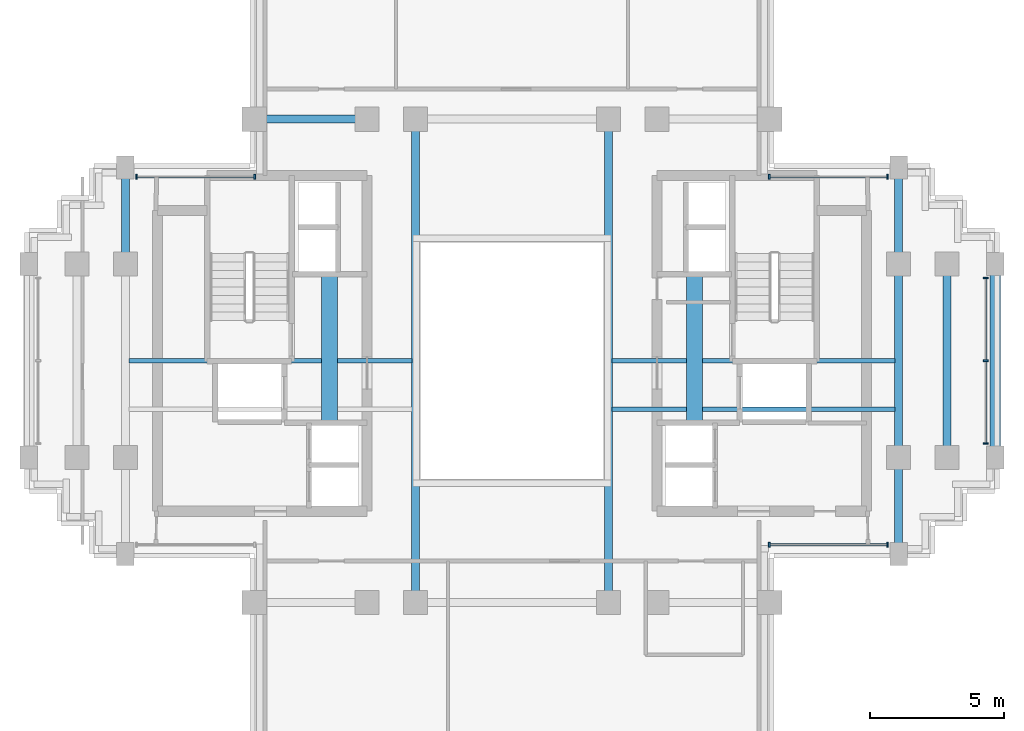
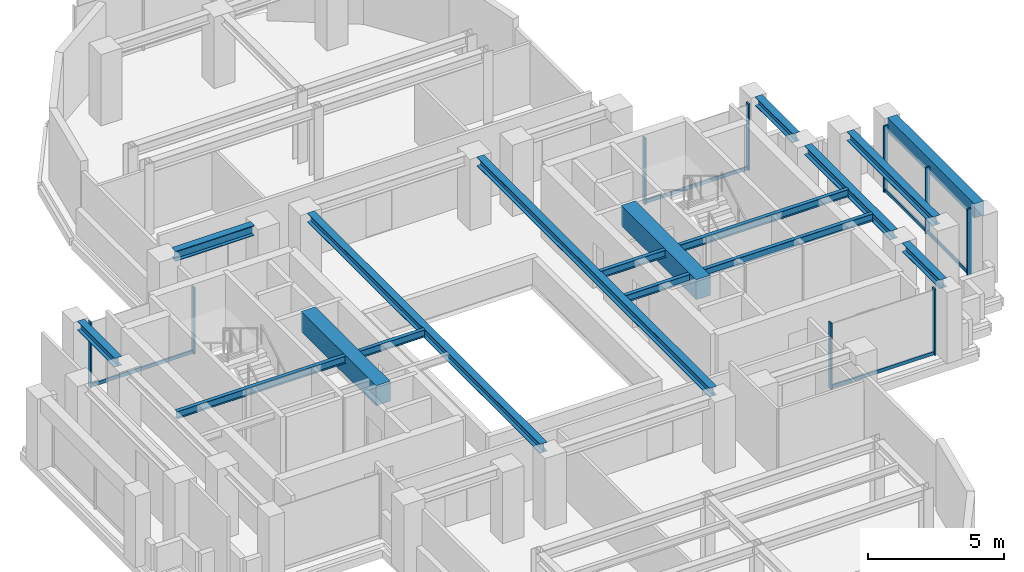
# One storey, part 3 of 11: 14 beams, 14 members, 4 elements without a shape of their own.
"""IFC4 building model written with IfcOpenShell, lengths in metres."""

from ifc_helpers import new_model, si_unit, direction, frame, origin, origin_2d, place, context, subcontext, project, spatial, rectangle, i_section, extrude, source, transform, mapped, material, material_profile, profile_set, type_object, element, aggregate, save


model = new_model("IFC4")

# Units and contexts
model_context = context("Model", 3, precision=1e-05, world=origin(), true_north=direction((0.0, 1.0)))
body_context = subcontext(model_context, "Body", "Model", "MODEL_VIEW")
ifc_project = project(units=[si_unit("LENGTHUNIT", "METRE"), si_unit("AREAUNIT", "SQUARE_METRE"), si_unit("VOLUMEUNIT", "CUBIC_METRE"), si_unit("PLANEANGLEUNIT", "RADIAN"), si_unit("MASSUNIT", "GRAM", prefix="KILO")], contexts=[model_context])

# Site, building, storey
site_placement = place(None, origin())
site = spatial("IfcSite", under=ifc_project, at=site_placement, CompositionType="ELEMENT")
building_placement = place(site_placement, origin())
building = spatial("IfcBuilding", under=site, at=building_placement, Name="Keilestroom Media Tower", CompositionType="ELEMENT")
storey_placement = place(building_placement, frame((0.0, 0.0, 174.0)))
storey = spatial("IfcBuildingStorey", under=building, at=storey_placement, Name="L47", CompositionType="ELEMENT", Elevation=174.0)

# Beams
ifc_material_1 = material(Name="Concrete C70/85", Category="concrete")
ifc_material_profile_1 = material_profile(ifc_material_1, rectangle(XDim=0.60009765625, YDim=0.89990234375, at=origin_2d()), Name="RC 600x900")
ifc_profile_set_1 = profile_set([ifc_material_profile_1], Name="Concrete C70/85")
beam_type_1 = type_object("IfcBeamType", Name="Core-Coupling-Lintel-Beam-RC-600x900", PredefinedType="LINTEL", material=ifc_profile_set_1)
shared_shape_1 = source(origin(), body_context, "Body", "SweptSolid", [
    extrude(rectangle(XDim=0.60009765625, YDim=0.89990234375, at=origin_2d()), origin(), (0.0, 0.0, 1.0), 5.52001953125),
])
for number, where, z_axis, x_axis, name in (
    (1, (-6.800048828125, -2.300048828125, 2.75), (0.0, 1.0, 0.0), (-1.0, 0.0, 0.0), "L47 Beam CLB-1 CLB-L47-W"),
    (2, (6.800048828125, -2.300048828125, 2.75), (0.0, 1.0, 0.0), (-1.0, 0.0, 0.0), "L47 Beam CLB-1 CLB-L47-E"),
):
    element("IfcBeam", number, at=place(storey_placement, frame(where, z_axis=z_axis, x_axis=x_axis)), inside=storey, type_object=beam_type_1, Name=name, PredefinedType="LINTEL", context=body_context, shape_type="MappedRepresentation", body=[
        mapped(shared_shape_1, transform((0.0, 0.0, 0.0), x_axis=(1.0, 0.0, 0.0), y_axis=(0.0, 1.0, 0.0), z_axis=(0.0, 0.0, 1.0), scale=1.0)),
    ])
ifc_material_2 = material(Name="Steel S355", Category="steel")
ifc_material_profile_2 = material_profile(ifc_material_2, i_section(OverallWidth=0.300048828125, OverallDepth=0.449951171875, WebThickness=0.011962890625, FlangeThickness=0.02587890625, at=origin_2d()), Name="HEB 450")
ifc_profile_set_2 = profile_set([ifc_material_profile_2], Name="Steel S355")
beam_type_2 = type_object("IfcBeamType", Name="Primary-Structural-Girder-HEB-450", PredefinedType="BEAM", material=ifc_profile_set_2)
shared_shape_2 = source(origin(), body_context, "Body", "SweptSolid", [
    extrude(i_section(OverallWidth=0.300048828125, OverallDepth=0.449951171875, WebThickness=0.011962890625, FlangeThickness=0.02587890625, at=origin_2d()), origin(), (0.0, 0.0, 1.0), 3.33984375),
])
beam_1_placement = place(storey_placement, frame((-9.169921875, 9.0, 2.97509765625), z_axis=(1.0, 0.0, 0.0), x_axis=(0.0, 1.0, 0.0)))
element("IfcBeam", 3, at=beam_1_placement, inside=storey, type_object=beam_type_2, Name="L47 Beam BG-7 BM-L47-EW-020", PredefinedType="BEAM", context=body_context, shape_type="MappedRepresentation", body=[
    mapped(shared_shape_2, transform((0.0, 0.0, 0.0), x_axis=(1.0, 0.0, 0.0), y_axis=(0.0, 1.0, 0.0), z_axis=(0.0, 0.0, 1.0), scale=1.0)),
])
ifc_material_3 = material(Name="Precast concrete C40/50", Category="concrete")
ifc_material_profile_3 = material_profile(ifc_material_3, rectangle(XDim=0.39990234375, YDim=0.64990234375, at=origin_2d()), Name="PC 400x650")
ifc_profile_set_3 = profile_set([ifc_material_profile_3], Name="Precast concrete C40/50")
beam_type_3 = type_object("IfcBeamType", Name="Perimeter-Spandrel-Beam-PC-400x650", PredefinedType="SPANDREL", material=ifc_profile_set_3)
shared_shape_3 = source(origin(), body_context, "Body", "SweptSolid", [
    extrude(rectangle(XDim=0.39990234375, YDim=0.64990234375, at=origin_2d()), origin(), (0.0, 0.0, 1.0), 6.39013671875),
])
beam_2_placement = place(storey_placement, frame((18.0, -3.195068359375, 2.875), z_axis=(0.0, 1.0, 0.0), x_axis=(-1.0, 0.0, 0.0)))
element("IfcBeam", 4, at=beam_2_placement, inside=storey, type_object=beam_type_3, Name="L47 Beam SPB-2 BM-L47-NS-054", PredefinedType="SPANDREL", context=body_context, shape_type="MappedRepresentation", body=[
    mapped(shared_shape_3, transform((0.0, 0.0, 0.0), x_axis=(1.0, 0.0, 0.0), y_axis=(0.0, 1.0, 0.0), z_axis=(0.0, 0.0, 1.0), scale=1.0)),
])
ifc_material_profile_4 = material_profile(ifc_material_2, i_section(OverallWidth=0.300048828125, OverallDepth=0.39990234375, WebThickness=0.011474609375, FlangeThickness=0.02392578125, at=origin_2d()), Name="HEB 400")
ifc_profile_set_4 = profile_set([ifc_material_profile_4], Name="Steel S355")
beam_type_4 = type_object("IfcBeamType", Name="Primary-Structural-Girder-HEB-400", PredefinedType="BEAM", material=ifc_profile_set_4)
shared_shape_4 = source(origin(), body_context, "Body", "SweptSolid", [
    extrude(i_section(OverallWidth=0.300048828125, OverallDepth=0.39990234375, WebThickness=0.011474609375, FlangeThickness=0.02392578125, at=origin_2d()), origin(), (0.0, 0.0, 1.0), 6.33984375),
])
for number, where, z_axis, x_axis, name in (
    (5, (14.39990234375, -3.169921875, 3.0), (0.0, 1.0, 0.0), (-1.0, 0.0, 0.0), "L47 Beam BG-8 BM-L47-NS-051"),
    (6, (16.199951171875, -3.169921875, 3.0), (0.0, 1.0, 0.0), (-1.0, 0.0, 0.0), "L47 Beam BG-8 BM-L47-NS-053"),
):
    element("IfcBeam", number, at=place(storey_placement, frame(where, z_axis=z_axis, x_axis=x_axis)), inside=storey, type_object=beam_type_4, Name=name, PredefinedType="BEAM", context=body_context, shape_type="MappedRepresentation", body=[
        mapped(shared_shape_4, transform((0.0, 0.0, 0.0), x_axis=(1.0, 0.0, 0.0), y_axis=(0.0, 1.0, 0.0), z_axis=(0.0, 0.0, 1.0), scale=1.0)),
    ])
shared_shape_5 = source(origin(), body_context, "Body", "SweptSolid", [
    extrude(i_section(OverallWidth=0.300048828125, OverallDepth=0.39990234375, WebThickness=0.011474609375, FlangeThickness=0.02392578125, at=origin_2d()), origin(), (0.0, 0.0, 1.0), 2.764892578125),
])
for number, where, z_axis, x_axis, name in (
    (7, (-14.39990234375, 4.030029296875, 3.0), (0.0, 1.0, 0.0), (-1.0, 0.0, 0.0), "L47 Beam BG-8 BM-L47-NS-035"),
    (8, (14.39990234375, -6.794921875, 3.0), (0.0, 1.0, 0.0), (-1.0, 0.0, 0.0), "L47 Beam BG-8 BM-L47-NS-050"),
    (9, (14.39990234375, 4.030029296875, 3.0), (0.0, 1.0, 0.0), (-1.0, 0.0, 0.0), "L47 Beam BG-8 BM-L47-NS-052"),
):
    element("IfcBeam", number, at=place(storey_placement, frame(where, z_axis=z_axis, x_axis=x_axis)), inside=storey, type_object=beam_type_4, Name=name, PredefinedType="BEAM", context=body_context, shape_type="MappedRepresentation", body=[
        mapped(shared_shape_5, transform((0.0, 0.0, 0.0), x_axis=(1.0, 0.0, 0.0), y_axis=(0.0, 1.0, 0.0), z_axis=(0.0, 0.0, 1.0), scale=1.0)),
    ])
shared_shape_6 = source(origin(), body_context, "Body", "SweptSolid", [
    extrude(i_section(OverallWidth=0.300048828125, OverallDepth=0.39990234375, WebThickness=0.011474609375, FlangeThickness=0.02392578125, at=origin_2d()), origin(), (0.0, 0.0, 1.0), 17.14013671875),
])
for number, where, z_axis, x_axis, name in (
    (10, (-3.60009765625, -8.570068359375, 3.0), (0.0, 1.0, 0.0), (-1.0, 0.0, 0.0), "L47 Beam BG-8 BM-L47-NS-040"),
    (11, (3.60009765625, -8.570068359375, 3.0), (0.0, 1.0, 0.0), (-1.0, 0.0, 0.0), "L47 Beam BG-8 BM-L47-NS-045"),
):
    element("IfcBeam", number, at=place(storey_placement, frame(where, z_axis=z_axis, x_axis=x_axis)), inside=storey, type_object=beam_type_4, Name=name, PredefinedType="BEAM", context=body_context, shape_type="MappedRepresentation", body=[
        mapped(shared_shape_6, transform((0.0, 0.0, 0.0), x_axis=(1.0, 0.0, 0.0), y_axis=(0.0, 1.0, 0.0), z_axis=(0.0, 0.0, 1.0), scale=1.0)),
    ])
ifc_material_profile_5 = material_profile(ifc_material_2, i_section(OverallWidth=0.159912109375, OverallDepth=0.330078125, WebThickness=0.007568359375, FlangeThickness=0.011474609375, at=origin_2d()), Name="IPE 330")
ifc_profile_set_5 = profile_set([ifc_material_profile_5], Name="Steel S355")
beam_type_5 = type_object("IfcBeamType", Name="Secondary-Floor-Joist-IPE-330", PredefinedType="JOIST", material=ifc_profile_set_5)
shared_shape_7 = source(origin(), body_context, "Body", "SweptSolid", [
    extrude(i_section(OverallWidth=0.159912109375, OverallDepth=0.330078125, WebThickness=0.007568359375, FlangeThickness=0.011474609375, at=origin_2d()), origin(), (0.0, 0.0, 1.0), 10.5400390625),
])
for number, where, z_axis, x_axis, name in (
    (12, (3.72998046875, -1.800048828125, 3.034912109375), (1.0, 0.0, 0.0), (0.0, 1.0, 0.0), "L47 Beam BJ-6 JST-L47-059"),
    (13, (-14.27001953125, 0.0, 3.034912109375), (1.0, 0.0, 0.0), (0.0, 1.0, 0.0), "L47 Beam BJ-6 JST-L47-060"),
    (14, (3.72998046875, 0.0, 3.034912109375), (1.0, 0.0, 0.0), (0.0, 1.0, 0.0), "L47 Beam BJ-6 JST-L47-062"),
):
    element("IfcBeam", number, at=place(storey_placement, frame(where, z_axis=z_axis, x_axis=x_axis)), inside=storey, type_object=beam_type_5, Name=name, PredefinedType="JOIST", context=body_context, shape_type="MappedRepresentation", body=[
        mapped(shared_shape_7, transform((0.0, 0.0, 0.0), x_axis=(1.0, 0.0, 0.0), y_axis=(0.0, 1.0, 0.0), z_axis=(0.0, 0.0, 1.0), scale=1.0)),
    ])

# Curtain wall, members
ifc_material_4 = material(Name="Anodised Aluminium Alloy", Category="aluminium")
curtain_wall_type = type_object("IfcCurtainWallType", Name="Unitised-Curtain-Wall-CW-3", PredefinedType="NOTDEFINED", material=ifc_material_4)
curtain_wall_1_placement = place(storey_placement, origin())
curtain_wall_1 = element("IfcCurtainWall", 15, at=curtain_wall_1_placement, inside=storey, type_object=curtain_wall_type, Name="L47 Curtain Wall CW-3 CW-L47-E-1", PredefinedType="NOTDEFINED")
ifc_material_profile_6 = material_profile(ifc_material_4, rectangle(XDim=0.06494140625, YDim=0.179931640625, at=origin_2d()), Name="ALU MULLION 65x180")
ifc_profile_set_6 = profile_set([ifc_material_profile_6], Name="Anodised Aluminium Alloy")
member_type_1 = type_object("IfcMemberType", Name="Curtain-Wall-Mullion-CW-3", PredefinedType="MULLION", material=ifc_profile_set_6)
shared_shape_8 = source(origin(), body_context, "Body", "SweptSolid", [
    extrude(rectangle(XDim=0.06494140625, YDim=0.179931640625, at=origin_2d()), origin(), (0.0, 0.0, 1.0), 2.97998046875),
])
member_1_placement = place(storey_placement, frame((17.64990234375, -3.08251953125, 0.0), z_axis=(0.0, 0.0, 1.0), x_axis=(0.0, 1.0, 0.0)))
member_1 = element("IfcMember", 16, at=member_1_placement, type_object=member_type_1, Name="CW-3 Mullion 00", PredefinedType="MULLION", context=body_context, shape_type="MappedRepresentation", body=[
    mapped(shared_shape_8, transform((0.0, 0.0, 0.0), x_axis=(1.0, 0.0, 0.0), y_axis=(0.0, 1.0, 0.0), z_axis=(0.0, 0.0, 1.0), scale=1.0)),
])
member_2_placement = place(storey_placement, frame((17.64990234375, 0.0, 0.0), z_axis=(0.0, 0.0, 1.0), x_axis=(0.0, 1.0, 0.0)))
member_2 = element("IfcMember", 17, at=member_2_placement, type_object=member_type_1, Name="CW-3 Mullion 01", PredefinedType="MULLION", context=body_context, shape_type="MappedRepresentation", body=[
    mapped(shared_shape_8, transform((0.0, 0.0, 0.0), x_axis=(1.0, 0.0, 0.0), y_axis=(0.0, 1.0, 0.0), z_axis=(0.0, 0.0, 1.0), scale=1.0)),
])
member_3_placement = place(storey_placement, frame((17.64990234375, 3.08251953125, 0.0), z_axis=(0.0, 0.0, 1.0), x_axis=(0.0, 1.0, 0.0)))
member_3 = element("IfcMember", 18, at=member_3_placement, type_object=member_type_1, Name="CW-3 Mullion 02", PredefinedType="MULLION", context=body_context, shape_type="MappedRepresentation", body=[
    mapped(shared_shape_8, transform((0.0, 0.0, 0.0), x_axis=(1.0, 0.0, 0.0), y_axis=(0.0, 1.0, 0.0), z_axis=(0.0, 0.0, 1.0), scale=1.0)),
])

curtain_wall_2_placement = place(storey_placement, origin())
curtain_wall_2 = element("IfcCurtainWall", 19, at=curtain_wall_2_placement, inside=storey, type_object=curtain_wall_type, Name="L47 Curtain Wall CW-3 CW-L47-NW-1", PredefinedType="NOTDEFINED")
member_4_placement = place(storey_placement, frame((-13.982421875, 6.85009765625, 0.0), z_axis=(0.0, 0.0, 1.0), x_axis=(1.0, 0.0, 0.0)))
member_4 = element("IfcMember", 20, at=member_4_placement, type_object=member_type_1, Name="CW-3 Mullion 00", PredefinedType="MULLION", context=body_context, shape_type="MappedRepresentation", body=[
    mapped(shared_shape_8, transform((0.0, 0.0, 0.0), x_axis=(1.0, 0.0, 0.0), y_axis=(0.0, 1.0, 0.0), z_axis=(0.0, 0.0, 1.0), scale=1.0)),
])
member_5_placement = place(storey_placement, frame((-9.58251953125, 6.85009765625, 0.0), z_axis=(0.0, 0.0, 1.0), x_axis=(1.0, 0.0, 0.0)))
member_5 = element("IfcMember", 21, at=member_5_placement, type_object=member_type_1, Name="CW-3 Mullion 01", PredefinedType="MULLION", context=body_context, shape_type="MappedRepresentation", body=[
    mapped(shared_shape_8, transform((0.0, 0.0, 0.0), x_axis=(1.0, 0.0, 0.0), y_axis=(0.0, 1.0, 0.0), z_axis=(0.0, 0.0, 1.0), scale=1.0)),
])

curtain_wall_3_placement = place(storey_placement, origin())
curtain_wall_3 = element("IfcCurtainWall", 22, at=curtain_wall_3_placement, inside=storey, type_object=curtain_wall_type, Name="L47 Curtain Wall CW-3 CW-L47-NE-1", PredefinedType="NOTDEFINED")
member_6_placement = place(storey_placement, frame((9.58251953125, 6.85009765625, 0.0), z_axis=(0.0, 0.0, 1.0), x_axis=(1.0, 0.0, 0.0)))
member_6 = element("IfcMember", 23, at=member_6_placement, type_object=member_type_1, Name="CW-3 Mullion 00", PredefinedType="MULLION", context=body_context, shape_type="MappedRepresentation", body=[
    mapped(shared_shape_8, transform((0.0, 0.0, 0.0), x_axis=(1.0, 0.0, 0.0), y_axis=(0.0, 1.0, 0.0), z_axis=(0.0, 0.0, 1.0), scale=1.0)),
])
member_7_placement = place(storey_placement, frame((13.982421875, 6.85009765625, 0.0), z_axis=(0.0, 0.0, 1.0), x_axis=(1.0, 0.0, 0.0)))
member_7 = element("IfcMember", 24, at=member_7_placement, type_object=member_type_1, Name="CW-3 Mullion 01", PredefinedType="MULLION", context=body_context, shape_type="MappedRepresentation", body=[
    mapped(shared_shape_8, transform((0.0, 0.0, 0.0), x_axis=(1.0, 0.0, 0.0), y_axis=(0.0, 1.0, 0.0), z_axis=(0.0, 0.0, 1.0), scale=1.0)),
])

curtain_wall_4_placement = place(storey_placement, origin())
curtain_wall_4 = element("IfcCurtainWall", 25, at=curtain_wall_4_placement, inside=storey, type_object=curtain_wall_type, Name="L47 Curtain Wall CW-3 CW-L47-SE-1", PredefinedType="NOTDEFINED")
member_8_placement = place(storey_placement, frame((9.58251953125, -6.85009765625, 0.0), z_axis=(0.0, 0.0, 1.0), x_axis=(1.0, 0.0, 0.0)))
member_8 = element("IfcMember", 26, at=member_8_placement, type_object=member_type_1, Name="CW-3 Mullion 00", PredefinedType="MULLION", context=body_context, shape_type="MappedRepresentation", body=[
    mapped(shared_shape_8, transform((0.0, 0.0, 0.0), x_axis=(1.0, 0.0, 0.0), y_axis=(0.0, 1.0, 0.0), z_axis=(0.0, 0.0, 1.0), scale=1.0)),
])
member_9_placement = place(storey_placement, frame((13.982421875, -6.85009765625, 0.0), z_axis=(0.0, 0.0, 1.0), x_axis=(1.0, 0.0, 0.0)))
member_9 = element("IfcMember", 27, at=member_9_placement, type_object=member_type_1, Name="CW-3 Mullion 01", PredefinedType="MULLION", context=body_context, shape_type="MappedRepresentation", body=[
    mapped(shared_shape_8, transform((0.0, 0.0, 0.0), x_axis=(1.0, 0.0, 0.0), y_axis=(0.0, 1.0, 0.0), z_axis=(0.0, 0.0, 1.0), scale=1.0)),
])

# Member
ifc_material_profile_7 = material_profile(ifc_material_4, rectangle(XDim=0.06494140625, YDim=0.14990234375, at=origin_2d()), Name="ALU TRANSOM 65x150")
ifc_profile_set_7 = profile_set([ifc_material_profile_7], Name="Anodised Aluminium Alloy")
member_type_2 = type_object("IfcMemberType", Name="Curtain-Wall-Transom-CW-3", PredefinedType="USERDEFINED", material=ifc_profile_set_7)
shared_shape_9 = source(origin(), body_context, "Body", "SweptSolid", [
    extrude(rectangle(XDim=0.06494140625, YDim=0.14990234375, at=origin_2d()), origin(), (0.0, 0.0, 1.0), 4.3388671875),
])
member_10_placement = place(storey_placement, frame((-13.951904296875, 6.85009765625, 0.074951171875), z_axis=(1.0, 0.0, 0.0), x_axis=(0.0, 1.0, 0.0)))
member_10 = element("IfcMember", 28, at=member_10_placement, type_object=member_type_2, Name="CW-3 Transom 00.1", ObjectType="TRANSOM", PredefinedType="USERDEFINED", context=body_context, shape_type="MappedRepresentation", body=[
    mapped(shared_shape_9, transform((0.0, 0.0, 0.0), x_axis=(1.0, 0.0, 0.0), y_axis=(0.0, 1.0, 0.0), z_axis=(0.0, 0.0, 1.0), scale=1.0)),
])

aggregate(curtain_wall_2, [member_4, member_5, member_10])

member_11_placement = place(storey_placement, frame((9.613037109375, 6.85009765625, 0.074951171875), z_axis=(1.0, 0.0, 0.0), x_axis=(0.0, 1.0, 0.0)))
member_11 = element("IfcMember", 29, at=member_11_placement, type_object=member_type_2, Name="CW-3 Transom 00.1", ObjectType="TRANSOM", PredefinedType="USERDEFINED", context=body_context, shape_type="MappedRepresentation", body=[
    mapped(shared_shape_9, transform((0.0, 0.0, 0.0), x_axis=(1.0, 0.0, 0.0), y_axis=(0.0, 1.0, 0.0), z_axis=(0.0, 0.0, 1.0), scale=1.0)),
])

aggregate(curtain_wall_3, [member_6, member_7, member_11])

member_12_placement = place(storey_placement, frame((9.613037109375, -6.85009765625, 0.074951171875), z_axis=(1.0, 0.0, 0.0), x_axis=(0.0, 1.0, 0.0)))
member_12 = element("IfcMember", 30, at=member_12_placement, type_object=member_type_2, Name="CW-3 Transom 00.1", ObjectType="TRANSOM", PredefinedType="USERDEFINED", context=body_context, shape_type="MappedRepresentation", body=[
    mapped(shared_shape_9, transform((0.0, 0.0, 0.0), x_axis=(1.0, 0.0, 0.0), y_axis=(0.0, 1.0, 0.0), z_axis=(0.0, 0.0, 1.0), scale=1.0)),
])

aggregate(curtain_wall_4, [member_8, member_9, member_12])

shared_shape_10 = source(origin(), body_context, "Body", "SweptSolid", [
    extrude(rectangle(XDim=0.06494140625, YDim=0.14990234375, at=origin_2d()), origin(), (0.0, 0.0, 1.0), 3.021484375),
])
member_13_placement = place(storey_placement, frame((17.64990234375, -3.052001953125, 0.074951171875), z_axis=(0.0, 1.0, 0.0), x_axis=(-1.0, 0.0, 0.0)))
member_13 = element("IfcMember", 31, at=member_13_placement, type_object=member_type_2, Name="CW-3 Transom 00.1", ObjectType="TRANSOM", PredefinedType="USERDEFINED", context=body_context, shape_type="MappedRepresentation", body=[
    mapped(shared_shape_10, transform((0.0, 0.0, 0.0), x_axis=(1.0, 0.0, 0.0), y_axis=(0.0, 1.0, 0.0), z_axis=(0.0, 0.0, 1.0), scale=1.0)),
])

member_14_placement = place(storey_placement, frame((17.64990234375, 0.030517578125, 0.074951171875), z_axis=(0.0, 1.0, 0.0), x_axis=(-1.0, 0.0, 0.0)))
member_14 = element("IfcMember", 32, at=member_14_placement, type_object=member_type_2, Name="CW-3 Transom 01.1", ObjectType="TRANSOM", PredefinedType="USERDEFINED", context=body_context, shape_type="MappedRepresentation", body=[
    mapped(shared_shape_10, transform((0.0, 0.0, 0.0), x_axis=(1.0, 0.0, 0.0), y_axis=(0.0, 1.0, 0.0), z_axis=(0.0, 0.0, 1.0), scale=1.0)),
])

aggregate(curtain_wall_1, [member_1, member_2, member_3, member_13, member_14])

save(model, "model.ifc")
